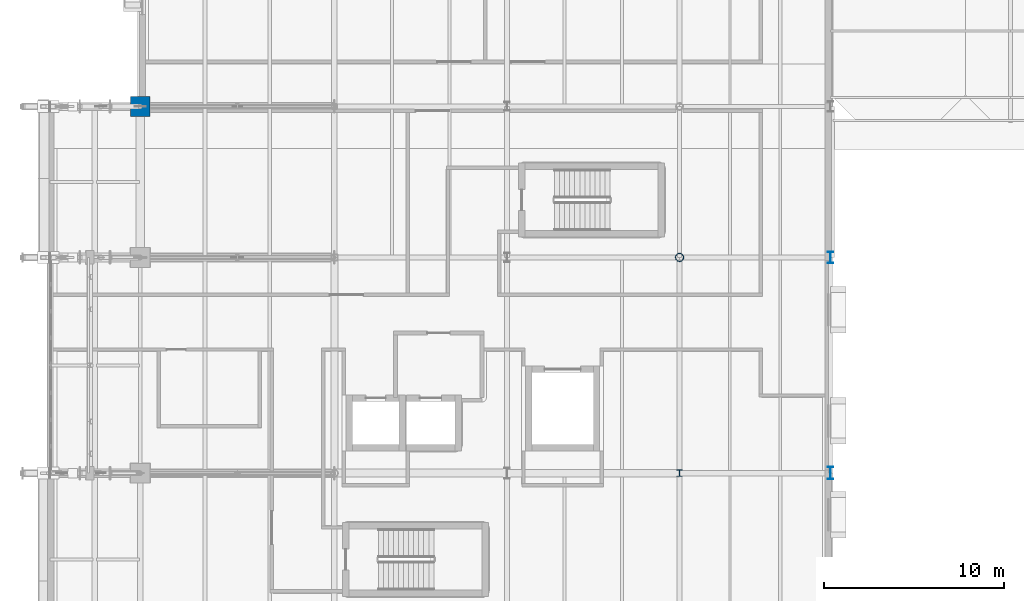
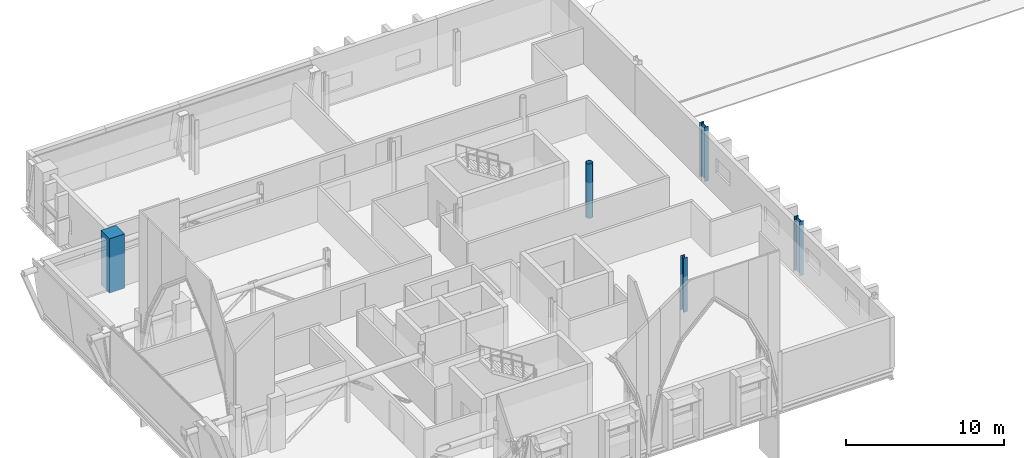
# One storey, part 2 of 90: 5 columns.
"""IFC4 building model written with IfcOpenShell, lengths in metres."""

import ifcopenshell
import ifcopenshell.guid

model = None  # the IFC model being written
_history = None  # IfcOwnerHistory: only IFC2X3 demands one
_inside = {}  # id of a spatial element -> (the spatial element, [elements in it])
_under = {}  # id of a project, library or spatial element -> (it, [spatial elements below it])
_declared = {}  # id of a project -> (the project, [libraries it declares])
_typed = {}  # id of a type object -> (the type object, [elements of that type])
_made_of = {}  # id of a material, layer set ... -> (it, [elements and type objects made of it])


def new_model(schema):
    """Start an empty IFC model of exactly this schema.

    Asked for "IFC4X3", IfcOpenShell would pick the latest addendum, in which some entities
    have other attributes; the version numbers below select the first issue.
    IFC2X3 requires an IfcOwnerHistory on every rooted entity: one is made here for all.
    """
    global model, _history
    if schema == "IFC4X3":
        model = ifcopenshell.file(schema_version=(4, 3, 0, 0))
    else:
        model = ifcopenshell.file(schema=schema)
    _inside.clear()
    _under.clear()
    _declared.clear()
    _typed.clear()
    _made_of.clear()
    _history = None
    if model.schema == "IFC2X3":
        org = make("IfcOrganization", Name="unknown")
        user = make(
            "IfcPersonAndOrganization",
            ThePerson=make("IfcPerson", FamilyName="unknown"),
            TheOrganization=org,
        )
        app = make(
            "IfcApplication",
            ApplicationDeveloper=org,
            Version="unknown",
            ApplicationFullName="unknown",
            ApplicationIdentifier="unknown",
        )
        _history = make(
            "IfcOwnerHistory",
            OwningUser=user,
            OwningApplication=app,
            ChangeAction="ADDED",
            CreationDate=0,
        )
    return model


def make(cls, **values):
    """One entity of the class cls with the attributes given. An attribute that is None is left unset."""
    return model.create_entity(
        cls, **{name: value for name, value in values.items() if value is not None}
    )


def rooted(cls, **values):
    """An entity with a GlobalId (a new one), such as an element, a storey or a relation."""
    return make(cls, GlobalId=ifcopenshell.guid.new(), OwnerHistory=_history, **values)


def si_unit(unit_type, name, prefix=None):
    """IfcSIUnit, for example si_unit("LENGTHUNIT", "METRE", prefix="MILLI")."""
    return make("IfcSIUnit", UnitType=unit_type, Prefix=prefix, Name=name)


def assignment(units):
    """IfcUnitAssignment: the units of a project."""
    return None if units is None else make("IfcUnitAssignment", Units=units)


def point(xyz):
    """IfcCartesianPoint."""
    return None if xyz is None else make("IfcCartesianPoint", Coordinates=xyz)


def direction(xyz):
    """IfcDirection."""
    return None if xyz is None else make("IfcDirection", DirectionRatios=xyz)


def frame(location, z_axis=None, x_axis=None):
    """IfcAxis2Placement3D, a coordinate frame: its origin and axes. An axis left out is left unset."""
    return make(
        "IfcAxis2Placement3D",
        Location=point(location),
        Axis=direction(z_axis),
        RefDirection=direction(x_axis),
    )


def frame_2d(location, x_axis=None):
    """IfcAxis2Placement2D, a coordinate frame in the plane: its origin and x axis."""
    return make(
        "IfcAxis2Placement2D", Location=point(location), RefDirection=direction(x_axis)
    )


def origin():
    """The frame at (0, 0, 0) with its axes left unset."""
    return frame((0.0, 0.0, 0.0))


def origin_2d():
    """The frame at (0, 0) in the plane with its x axis left unset."""
    return frame_2d((0.0, 0.0))


def place(relative_to, where):
    """IfcLocalPlacement: puts the frame where relative to a parent placement (None: the world)."""
    return make(
        "IfcLocalPlacement", PlacementRelTo=relative_to, RelativePlacement=where
    )


def context(
    kind, dimensions, precision=None, world=None, true_north=None, identifier=None
):
    """IfcGeometricRepresentationContext, for example the 3D "Model" context."""
    return make(
        "IfcGeometricRepresentationContext",
        ContextIdentifier=identifier,
        ContextType=kind,
        CoordinateSpaceDimension=dimensions,
        Precision=precision,
        WorldCoordinateSystem=world,
        TrueNorth=true_north,
    )


def subcontext(parent, identifier, kind, view, scale=None):
    """IfcGeometricRepresentationSubContext, for example "Body" below "Model"."""
    return make(
        "IfcGeometricRepresentationSubContext",
        ContextIdentifier=identifier,
        ContextType=kind,
        ParentContext=parent,
        TargetScale=scale,
        TargetView=view,
    )


def project(units=None, contexts=None):
    """IfcProject with its units and contexts."""
    return rooted(
        "IfcProject",
        Name="project",
        RepresentationContexts=contexts,
        UnitsInContext=assignment(units),
    )


def spatial(cls, under=None, at=None, **own):
    """A site, building, storey or space (cls), placed at a placement, below another one or the project."""
    s = rooted(cls, ObjectPlacement=at, **own)
    if under is not None:
        _under.setdefault(under.id(), (under, []))[1].append(s)
    return s


def profile(cls, at=None, kind="AREA", **sizes):
    """A parametric profile (cls). Its sizes go by their IFC names, for example OverallWidth=200.0."""
    return make(cls, ProfileType=kind, Position=at, **sizes)


def rectangle(**sizes):
    """IfcRectangleProfileDef."""
    return profile("IfcRectangleProfileDef", **sizes)


def hollow_circle(**sizes):
    """IfcCircleHollowProfileDef."""
    return profile("IfcCircleHollowProfileDef", **sizes)


def i_section(**sizes):
    """IfcIShapeProfileDef."""
    return profile("IfcIShapeProfileDef", **sizes)


def extrude(swept, where, along, depth):
    """IfcExtrudedAreaSolid: the profile swept, set in the frame where, extruded along a direction by depth."""
    return make(
        "IfcExtrudedAreaSolid",
        SweptArea=swept,
        Position=where,
        ExtrudedDirection=direction(along),
        Depth=depth,
    )


def shape(context_of_items, identifier, shape_type, items):
    """IfcShapeRepresentation: the items that make up one representation, for example the "Body"."""
    return make(
        "IfcShapeRepresentation",
        ContextOfItems=context_of_items,
        RepresentationIdentifier=identifier,
        RepresentationType=shape_type,
        Items=items,
    )


def material(Name=None, Category=None):
    """IfcMaterial."""
    return make("IfcMaterial", Name=Name, Category=Category)


def material_profile(
    of_material, cross_section, Name=None, Category=None, Priority=None
):
    """IfcMaterialProfile: a cross section and its material."""
    return make(
        "IfcMaterialProfile",
        Name=Name,
        Material=of_material,
        Profile=cross_section,
        Priority=Priority,
        Category=Category,
    )


def profile_set(profiles, Name=None, composite=None):
    """IfcMaterialProfileSet."""
    return make(
        "IfcMaterialProfileSet",
        Name=Name,
        MaterialProfiles=profiles,
        CompositeProfile=composite,
    )


def made_of(thing, what):
    """Note that an element or type object is made of a material, layer set ...; save() writes the relation."""
    if what is not None:
        _made_of.setdefault(what.id(), (what, []))[1].append(thing)
    return thing


def type_object(cls, material=None, **own):
    """A type object (cls), such as IfcWallType, which elements share."""
    return made_of(rooted(cls, **own), material)


def element(
    cls,
    number,
    at=None,
    inside=None,
    cuts=None,
    type_object=None,
    material=None,
    context=None,
    identifier="Body",
    shape_type=None,
    held_by="IfcProductDefinitionShape",
    body=None,
    shapes=None,
    **own,
):
    """One element of the class cls, such as IfcWall. Its Tag is "e" and its number.

    at: its placement. inside: the storey or other place that contains it. cuts: it is an
    opening in that element (IfcRelVoidsElement). A single representation is given by context,
    identifier, shape_type and body (its items); several are given by shapes. held_by: the class
    of the entity that holds the representations. save() writes the other relations.
    """
    e = rooted(cls, Tag="e%d" % number, ObjectPlacement=at, **own)
    if body is not None:
        shapes = [shape(context, identifier, shape_type, body)]
    if shapes is not None:
        e.Representation = make(held_by, Representations=shapes)
    if inside is not None:
        _inside.setdefault(inside.id(), (inside, []))[1].append(e)
    if cuts is not None:
        rooted(
            "IfcRelVoidsElement", RelatingBuildingElement=cuts, RelatedOpeningElement=e
        )
    if type_object is not None:
        _typed.setdefault(type_object.id(), (type_object, []))[1].append(e)
    return made_of(e, material)


def aggregate(whole, parts):
    """IfcRelAggregates: a whole, such as a stair, and the parts it consists of."""
    return rooted("IfcRelAggregates", RelatingObject=whole, RelatedObjects=parts)


def save(model, path):
    """Write the relations noted so far, then the file.

    IfcRelAggregates (storeys below a building ...), IfcRelContainedInSpatialStructure (elements
    in a storey), IfcRelDefinesByType, IfcRelAssociatesMaterial and IfcRelDeclares: one each for
    every whole, place, type object, material and project.
    """
    for whole, parts in _under.values():
        aggregate(whole, parts)
    for where, things in _inside.values():
        rooted(
            "IfcRelContainedInSpatialStructure",
            RelatedElements=things,
            RelatingStructure=where,
        )
    for kind, things in _typed.values():
        rooted("IfcRelDefinesByType", RelatedObjects=things, RelatingType=kind)
    for what, things in _made_of.values():
        rooted("IfcRelAssociatesMaterial", RelatedObjects=things, RelatingMaterial=what)
    for by, libraries in _declared.values():
        rooted("IfcRelDeclares", RelatingContext=by, RelatedDefinitions=libraries)
    model.write(path)


model = new_model("IFC4")

# Units and contexts
model_context = context("Model", 3, precision=1e-05, world=origin(), true_north=direction((0.0, 1.0)))
body_context = subcontext(model_context, "Body", "Model", "MODEL_VIEW")
ifc_project = project(units=[si_unit("LENGTHUNIT", "METRE"), si_unit("AREAUNIT", "SQUARE_METRE"), si_unit("VOLUMEUNIT", "CUBIC_METRE"), si_unit("PLANEANGLEUNIT", "RADIAN"), si_unit("MASSUNIT", "GRAM", prefix="KILO")], contexts=[model_context])

# Site, building, storey
site_placement = place(None, origin())
site = spatial("IfcSite", under=ifc_project, at=site_placement, CompositionType="ELEMENT")
building_placement = place(site_placement, origin())
building = spatial("IfcBuilding", under=site, at=building_placement, Name="Zereglee Splitstone Museum", CompositionType="ELEMENT")
storey_placement = place(building_placement, frame((0.0, 0.0, 4.800048828125)))
storey = spatial("IfcBuildingStorey", under=building, at=storey_placement, Name="L01", CompositionType="ELEMENT", Elevation=4.800048828125)

# Columns
ifc_material_1 = material(Name="Concrete C45/55", Category="concrete")
ifc_material_profile_1 = material_profile(ifc_material_1, rectangle(XDim=1.10009765625, YDim=1.10009765625, at=origin_2d()), Name="RC 1100x1100")
ifc_profile_set_1 = profile_set([ifc_material_profile_1], Name="Concrete C45/55")
column_type_1 = type_object("IfcColumnType", Name="C-01", PredefinedType="COLUMN", material=ifc_profile_set_1)
column_1_placement = place(storey_placement, frame((9.60009765625, 30.0, 0.0), z_axis=(0.0, 0.0, 1.0), x_axis=(1.0, 0.0, 0.0)))
element("IfcColumn", 1, at=column_1_placement, inside=storey, type_object=column_type_1, Name="Column 2/D L01", PredefinedType="COLUMN", context=body_context, shape_type="SweptSolid", body=[
    extrude(rectangle(XDim=1.10009765625, YDim=1.10009765625, at=origin_2d()), origin(), (0.0, 0.0, 1.0), 4.199951171875),
])
ifc_material_2 = material(Name="Steel S355J2H", Category="steel")
ifc_material_profile_2 = material_profile(ifc_material_2, hollow_circle(Radius=0.228515625, WallThickness=0.02001953125, at=origin_2d()), Name="CHS 457.0x20")
ifc_profile_set_2 = profile_set([ifc_material_profile_2], Name="Steel S355J2H")
column_type_2 = type_object("IfcColumnType", Name="C-17", PredefinedType="COLUMN", material=ifc_profile_set_2)
column_2_placement = place(storey_placement, frame((39.60009765625, 21.60009765625, 0.0), z_axis=(0.0, 0.0, 1.0), x_axis=(1.0, 0.0, 0.0)))
element("IfcColumn", 2, at=column_2_placement, inside=storey, type_object=column_type_2, Name="Column 6/C L01", PredefinedType="COLUMN", context=body_context, shape_type="SweptSolid", body=[
    extrude(hollow_circle(Radius=0.228515625, WallThickness=0.02001953125, at=origin_2d()), origin(), (0.0, 0.0, 1.0), 4.199951171875),
])
ifc_material_3 = material(Name="Steel S355J2", Category="steel")
ifc_material_profile_3 = material_profile(ifc_material_3, i_section(OverallWidth=0.300048828125, OverallDepth=0.360107421875, WebThickness=0.012451171875, FlangeThickness=0.0224609375, FilletRadius=0.027099609375, at=origin_2d()), Name="HE 360 B")
ifc_profile_set_3 = profile_set([ifc_material_profile_3], Name="Steel S355J2")
column_type_3 = type_object("IfcColumnType", Name="C-16", PredefinedType="COLUMN", material=ifc_profile_set_3)
column_3_placement = place(storey_placement, frame((39.60009765625, 9.60009765625, 0.0), z_axis=(0.0, 0.0, 1.0), x_axis=(1.0, 0.0, 0.0)))
element("IfcColumn", 3, at=column_3_placement, inside=storey, type_object=column_type_3, Name="Column 6/B L01", PredefinedType="COLUMN", context=body_context, shape_type="SweptSolid", body=[
    extrude(i_section(OverallWidth=0.300048828125, OverallDepth=0.360107421875, WebThickness=0.012451171875, FlangeThickness=0.0224609375, FilletRadius=0.027099609375, at=origin_2d()), origin(), (0.0, 0.0, 1.0), 4.199951171875),
])
ifc_material_profile_4 = material_profile(ifc_material_3, i_section(OverallWidth=0.300048828125, OverallDepth=0.64990234375, WebThickness=0.01611328125, FlangeThickness=0.031005859375, FilletRadius=0.027099609375, at=origin_2d()), Name="HE 650 B")
ifc_profile_set_4 = profile_set([ifc_material_profile_4], Name="Steel S355J2")
column_type_4 = type_object("IfcColumnType", Name="C-10", PredefinedType="COLUMN", material=ifc_profile_set_4)
column_4_placement = place(storey_placement, frame((48.0, 21.60009765625, 0.0), z_axis=(0.0, 0.0, 1.0), x_axis=(1.0, 0.0, 0.0)))
element("IfcColumn", 4, at=column_4_placement, inside=storey, type_object=column_type_4, Name="Column 7/C L01", PredefinedType="COLUMN", context=body_context, shape_type="SweptSolid", body=[
    extrude(i_section(OverallWidth=0.300048828125, OverallDepth=0.64990234375, WebThickness=0.01611328125, FlangeThickness=0.031005859375, FilletRadius=0.027099609375, at=origin_2d()), origin(), (0.0, 0.0, 1.0), 4.199951171875),
])
ifc_material_profile_5 = material_profile(ifc_material_3, i_section(OverallWidth=0.300048828125, OverallDepth=0.699951171875, WebThickness=0.01708984375, FlangeThickness=0.031982421875, FilletRadius=0.027099609375, at=origin_2d()), Name="HE 700 B")
ifc_profile_set_5 = profile_set([ifc_material_profile_5], Name="Steel S355J2")
column_type_5 = type_object("IfcColumnType", Name="C-09", PredefinedType="COLUMN", material=ifc_profile_set_5)
column_5_placement = place(storey_placement, frame((48.0, 9.60009765625, 0.0), z_axis=(0.0, 0.0, 1.0), x_axis=(1.0, 0.0, 0.0)))
element("IfcColumn", 5, at=column_5_placement, inside=storey, type_object=column_type_5, Name="Column 7/B L01", PredefinedType="COLUMN", context=body_context, shape_type="SweptSolid", body=[
    extrude(i_section(OverallWidth=0.300048828125, OverallDepth=0.699951171875, WebThickness=0.01708984375, FlangeThickness=0.031982421875, FilletRadius=0.027099609375, at=origin_2d()), origin(), (0.0, 0.0, 1.0), 4.199951171875),
])

save(model, "model.ifc")
